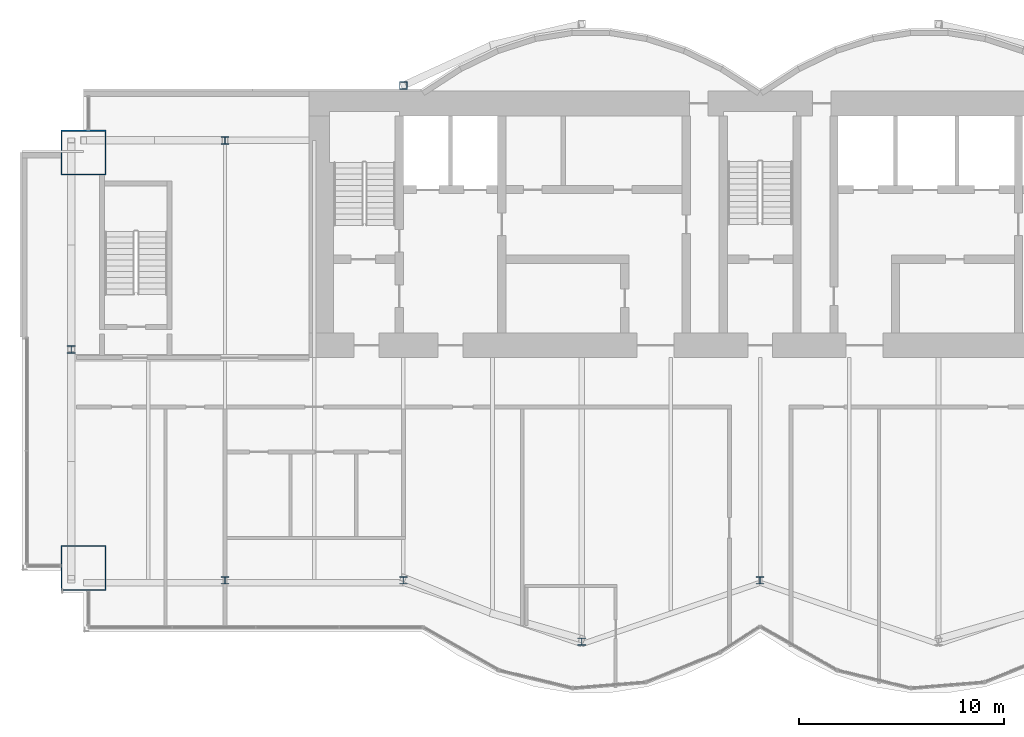
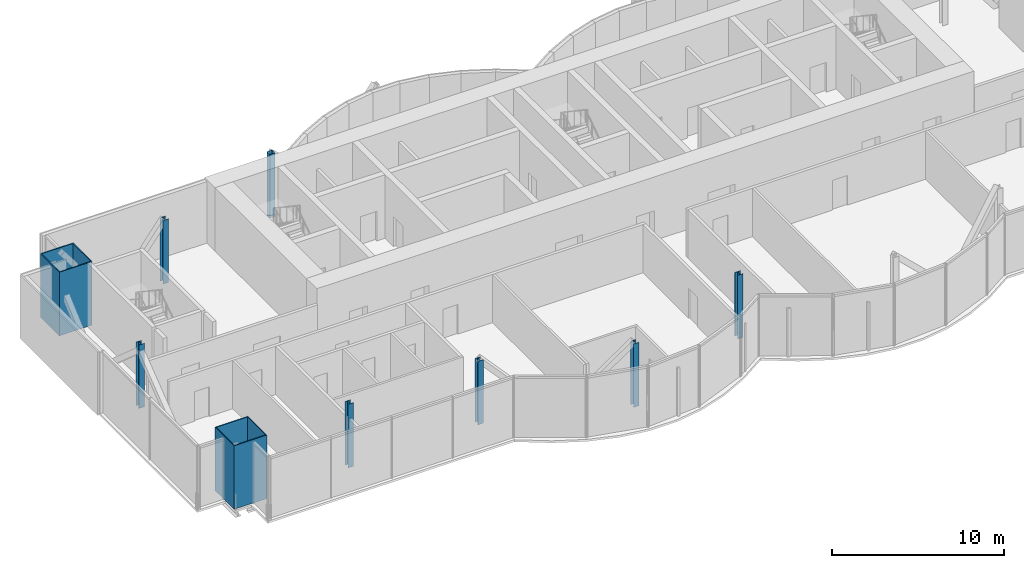
# One storey, part 1 of 18: 9 columns.
"""IFC4 building model written with IfcOpenShell, lengths in metres."""

from ifc_helpers import new_model, si_unit, direction, frame, origin, origin_2d, place, context, subcontext, project, spatial, hollow_rectangle, i_section, extrude, material, material_profile, profile_set, type_object, element, save


model = new_model("IFC4")

# Units and contexts
model_context = context("Model", 3, precision=1e-05, world=origin(), true_north=direction((0.0, 1.0)))
body_context = subcontext(model_context, "Body", "Model", "MODEL_VIEW")
ifc_project = project(units=[si_unit("LENGTHUNIT", "METRE"), si_unit("AREAUNIT", "SQUARE_METRE"), si_unit("VOLUMEUNIT", "CUBIC_METRE"), si_unit("PLANEANGLEUNIT", "RADIAN"), si_unit("MASSUNIT", "GRAM", prefix="KILO")], contexts=[model_context])

# Site, building, storey
site_placement = place(None, origin())
site = spatial("IfcSite", under=ifc_project, at=site_placement, CompositionType="ELEMENT")
building_placement = place(site_placement, origin())
building = spatial("IfcBuilding", under=site, at=building_placement, Name="Bicima Exchange Tower", CompositionType="ELEMENT")
storey_placement = place(building_placement, frame((0.0, 0.0, 311.0)))
storey = spatial("IfcBuildingStorey", under=building, at=storey_placement, Name="L70", CompositionType="ELEMENT", Elevation=311.0)

# Columns
ifc_material_1 = material(Name="Steel ASTM A572 Gr 50", Category="steel")
ifc_material_profile_1 = material_profile(ifc_material_1, hollow_rectangle(XDim=2.199951171875, YDim=2.199951171875, WallThickness=0.06005859375, at=origin_2d()))
ifc_profile_set_1 = profile_set([ifc_material_profile_1], Name="Steel ASTM A572 Gr 50")
column_type_1 = type_object("IfcColumnType", Name="Mega column BOX 2200x2200x60", PredefinedType="COLUMN", material=ifc_profile_set_1)
for number, where, z_axis, x_axis, name in (
    (1, (-33.0, -23.261962890625, 0.0), (0.0, 0.0, 1.0), (1.0, 0.0, 0.0), "Mega column mega-33.0f"),
    (2, (-33.0, -3.0, 0.0), (0.0, 0.0, 1.0), (1.0, 0.0, 0.0), "Mega column mega-33.0r"),
):
    element("IfcColumn", number, at=place(storey_placement, frame(where, z_axis=z_axis, x_axis=x_axis)), inside=storey, type_object=column_type_1, Name=name, PredefinedType="COLUMN", context=body_context, shape_type="SweptSolid", body=[
        extrude(hollow_rectangle(XDim=2.199951171875, YDim=2.199951171875, WallThickness=0.06005859375, at=origin_2d()), origin(), (0.0, 0.0, 1.0), 4.5),
    ])
ifc_material_2 = material(Name="Steel ASTM A992 Gr 50", Category="steel")
ifc_material_profile_2 = material_profile(ifc_material_2, i_section(OverallWidth=0.368408203125, OverallDepth=0.355712890625, WebThickness=0.01123046875, FlangeThickness=0.01806640625, at=origin_2d()))
ifc_profile_set_2 = profile_set([ifc_material_profile_2], Name="Steel ASTM A992 Gr 50")
column_type_2 = type_object("IfcColumnType", Name="Perimeter column W14x90", PredefinedType="COLUMN", material=ifc_profile_set_2)
for number, where, z_axis, x_axis, name in (
    (3, (-26.10009765625, -23.862060546875, 0.0), (0.0, 0.0, 1.0), (1.0, 0.0, 0.0), "Perimeter column grav-26.1f"),
    (4, (-26.10009765625, -2.39990234375, 0.0), (0.0, 0.0, 1.0), (1.0, 0.0, 0.0), "Perimeter column grav-26.1r"),
    (5, (-17.39990234375, -23.862060546875, 0.0), (0.0, 0.0, 1.0), (1.0, 0.0, 0.0), "Perimeter column grav-17.4f"),
    (6, (-8.699951171875, -26.85302734375, 0.0), (0.0, 0.0, 1.0), (1.0, 0.0, 0.0), "Perimeter column grav-8.7f"),
    (7, (0.0, -23.862060546875, 0.0), (0.0, 0.0, 1.0), (1.0, 0.0, 0.0), "Perimeter column grav-0.0f"),
    (8, (-33.60009765625, -12.60009765625, 0.0), (0.0, 0.0, 1.0), (1.0, 0.0, 0.0), "End column end-33.6e"),
):
    element("IfcColumn", number, at=place(storey_placement, frame(where, z_axis=z_axis, x_axis=x_axis)), inside=storey, type_object=column_type_2, Name=name, PredefinedType="COLUMN", context=body_context, shape_type="SweptSolid", body=[
        extrude(i_section(OverallWidth=0.368408203125, OverallDepth=0.355712890625, WebThickness=0.01123046875, FlangeThickness=0.01806640625, at=origin_2d()), origin(), (0.0, 0.0, 1.0), 4.5),
    ])
ifc_material_profile_3 = material_profile(ifc_material_1, hollow_rectangle(XDim=0.355712890625, YDim=0.355712890625, WallThickness=0.01171875, at=origin_2d()))
ifc_profile_set_3 = profile_set([ifc_material_profile_3], Name="Steel ASTM A572 Gr 50")
column_type_3 = type_object("IfcColumnType", Name="Rear pilaster HSS14x14x1/2", PredefinedType="COLUMN", material=ifc_profile_set_3)
column_placement = place(storey_placement, frame((-17.39990234375, 0.278076171875, 0.0), z_axis=(0.0, 0.0, 1.0), x_axis=(1.0, 0.0, 0.0)))
element("IfcColumn", 9, at=column_placement, inside=storey, type_object=column_type_3, Name="Rear pilaster rexo-17.4r", PredefinedType="COLUMN", context=body_context, shape_type="SweptSolid", body=[
    extrude(hollow_rectangle(XDim=0.355712890625, YDim=0.355712890625, WallThickness=0.01171875, at=origin_2d()), origin(), (0.0, 0.0, 1.0), 4.5),
])

save(model, "model.ifc")
